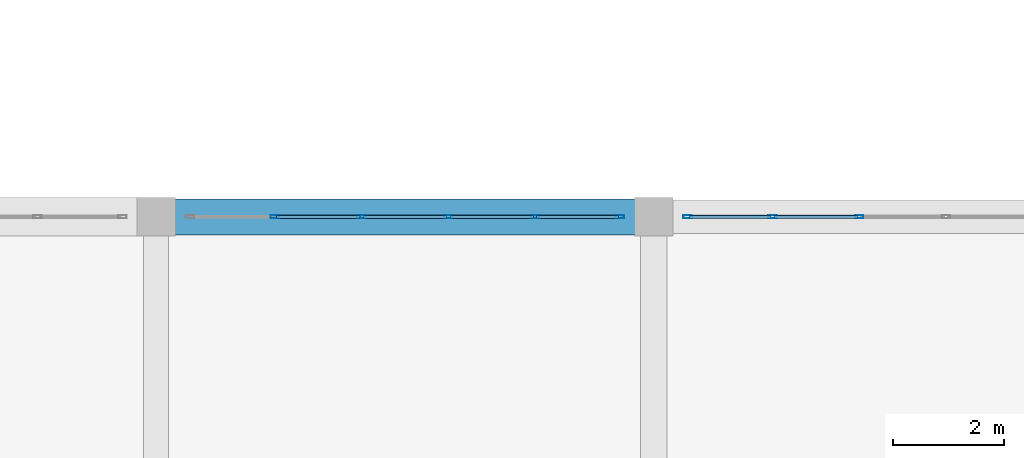
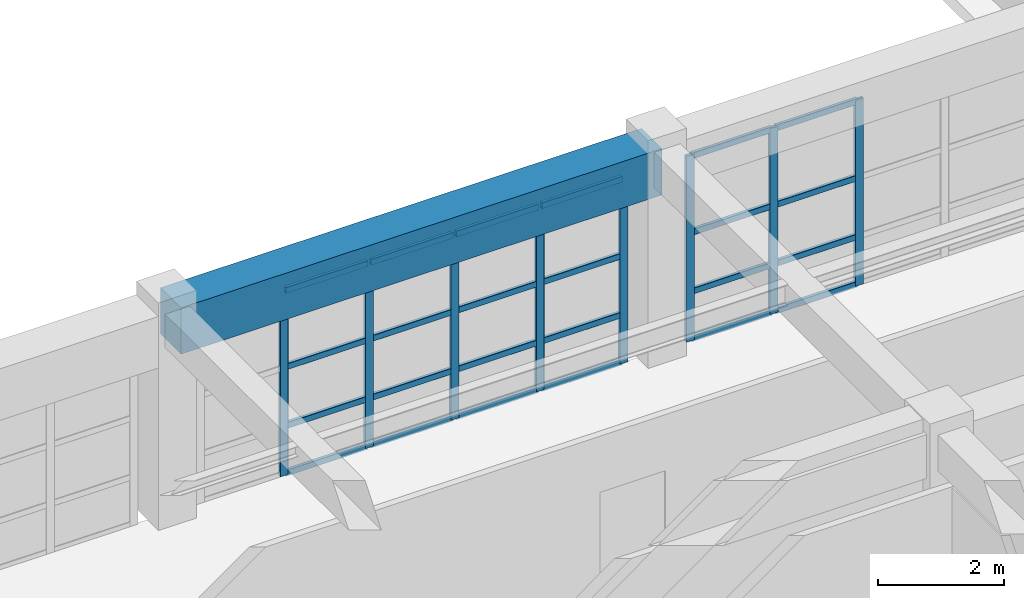
# One storey, part 83 of 133: 32 members, 1 beam, 2 elements without a shape of their own.
"""IFC4 building model written with IfcOpenShell, lengths in metres."""

from ifc_helpers import new_model, si_unit, direction, frame, origin, origin_2d, place, context, subcontext, project, spatial, rectangle, hollow_rectangle, extrude, material, material_profile, profile_set, type_object, element, aggregate, save


model = new_model("IFC4")

# Units and contexts
model_context = context("Model", 3, precision=1e-05, world=origin(), true_north=direction((0.0, 1.0)))
body_context = subcontext(model_context, "Body", "Model", "MODEL_VIEW")
ifc_project = project(units=[si_unit("LENGTHUNIT", "METRE"), si_unit("AREAUNIT", "SQUARE_METRE"), si_unit("VOLUMEUNIT", "CUBIC_METRE"), si_unit("PLANEANGLEUNIT", "RADIAN"), si_unit("MASSUNIT", "GRAM", prefix="KILO")], contexts=[model_context])

# Site, building, storey
site_placement = place(None, origin())
site = spatial("IfcSite", under=ifc_project, at=site_placement, CompositionType="ELEMENT")
building_placement = place(site_placement, origin())
building = spatial("IfcBuilding", under=site, at=building_placement, Name="Miravela Opera House", CompositionType="ELEMENT")
storey_placement = place(building_placement, frame((0.0, 0.0, 5.10009765625)))
storey = spatial("IfcBuildingStorey", under=building, at=storey_placement, Name="L01", CompositionType="ELEMENT", Elevation=5.10009765625)

# Curtain wall, members
ifc_material_1 = material(Name="Anodised architectural bronze aluminium 6063-T6", Category="aluminium")
curtain_wall_type = type_object("IfcCurtainWallType", Name="ARC-CW-05", PredefinedType="NOTDEFINED", material=ifc_material_1)
curtain_wall_1_placement = place(storey_placement, origin())
curtain_wall_1 = element("IfcCurtainWall", 1, at=curtain_wall_1_placement, inside=storey, type_object=curtain_wall_type, Name="Courtyard Arcade Curtain Wall CW-L01-172", PredefinedType="NOTDEFINED")
ifc_material_profile_1 = material_profile(ifc_material_1, hollow_rectangle(XDim=0.06005859375, YDim=0.14990234375, WallThickness=0.00390625, InnerFilletRadius=0.001953125, OuterFilletRadius=0.00390625, at=origin_2d()), Name="CWM-60X150")
ifc_profile_set_1 = profile_set([ifc_material_profile_1])
member_type_1 = type_object("IfcMemberType", Name="ARC-CWM-150", PredefinedType="MULLION", material=ifc_profile_set_1)
member_1_placement = place(storey_placement, frame((128.14794921875, 84.0, 0.0), z_axis=(0.0, 0.0, 1.0), x_axis=(0.0, 1.0, 0.0)))
member_1 = element("IfcMember", 2, at=member_1_placement, type_object=member_type_1, Name="CW-05 mullion 2", PredefinedType="MULLION", context=body_context, shape_type="SweptSolid", body=[
    extrude(hollow_rectangle(XDim=0.06005859375, YDim=0.14990234375, WallThickness=0.00390625, InnerFilletRadius=0.001953125, OuterFilletRadius=0.00390625, at=origin_2d()), origin(), (0.0, 0.0, 1.0), 3.60986328125),
])
member_2_placement = place(storey_placement, frame((129.716064453125, 84.0, 0.0), z_axis=(0.0, 0.0, 1.0), x_axis=(0.0, 1.0, 0.0)))
member_2 = element("IfcMember", 3, at=member_2_placement, type_object=member_type_1, Name="CW-05 mullion 3", PredefinedType="MULLION", context=body_context, shape_type="SweptSolid", body=[
    extrude(hollow_rectangle(XDim=0.06005859375, YDim=0.14990234375, WallThickness=0.00390625, InnerFilletRadius=0.001953125, OuterFilletRadius=0.00390625, at=origin_2d()), origin(), (0.0, 0.0, 1.0), 3.60986328125),
])
member_3_placement = place(storey_placement, frame((131.283935546875, 84.0, 0.0), z_axis=(0.0, 0.0, 1.0), x_axis=(0.0, 1.0, 0.0)))
member_3 = element("IfcMember", 4, at=member_3_placement, type_object=member_type_1, Name="CW-05 mullion 4", PredefinedType="MULLION", context=body_context, shape_type="SweptSolid", body=[
    extrude(hollow_rectangle(XDim=0.06005859375, YDim=0.14990234375, WallThickness=0.00390625, InnerFilletRadius=0.001953125, OuterFilletRadius=0.00390625, at=origin_2d()), origin(), (0.0, 0.0, 1.0), 3.60986328125),
])
member_4_placement = place(storey_placement, frame((132.85205078125, 84.0, 0.0), z_axis=(0.0, 0.0, 1.0), x_axis=(0.0, 1.0, 0.0)))
member_4 = element("IfcMember", 5, at=member_4_placement, type_object=member_type_1, Name="CW-05 mullion 5", PredefinedType="MULLION", context=body_context, shape_type="SweptSolid", body=[
    extrude(hollow_rectangle(XDim=0.06005859375, YDim=0.14990234375, WallThickness=0.00390625, InnerFilletRadius=0.001953125, OuterFilletRadius=0.00390625, at=origin_2d()), origin(), (0.0, 0.0, 1.0), 3.60986328125),
])
member_5_placement = place(storey_placement, frame((134.389892578125, 84.0, 0.0), z_axis=(0.0, 0.0, 1.0), x_axis=(0.0, 1.0, 0.0)))
member_5 = element("IfcMember", 6, at=member_5_placement, type_object=member_type_1, Name="CW-05 mullion 6", PredefinedType="MULLION", context=body_context, shape_type="SweptSolid", body=[
    extrude(hollow_rectangle(XDim=0.06005859375, YDim=0.14990234375, WallThickness=0.00390625, InnerFilletRadius=0.001953125, OuterFilletRadius=0.00390625, at=origin_2d()), origin(), (0.0, 0.0, 1.0), 3.60986328125),
])

curtain_wall_2_placement = place(storey_placement, origin())
curtain_wall_2 = element("IfcCurtainWall", 7, at=curtain_wall_2_placement, inside=storey, type_object=curtain_wall_type, Name="Courtyard Arcade Curtain Wall CW-L01-176", PredefinedType="NOTDEFINED")
member_6_placement = place(storey_placement, frame((135.610107421875, 84.0, 0.0), z_axis=(0.0, 0.0, 1.0), x_axis=(0.0, 1.0, 0.0)))
member_6 = element("IfcMember", 8, at=member_6_placement, type_object=member_type_1, Name="CW-05 mullion 1", PredefinedType="MULLION", context=body_context, shape_type="SweptSolid", body=[
    extrude(hollow_rectangle(XDim=0.06005859375, YDim=0.14990234375, WallThickness=0.00390625, InnerFilletRadius=0.001953125, OuterFilletRadius=0.00390625, at=origin_2d()), origin(), (0.0, 0.0, 1.0), 3.60986328125),
])
member_7_placement = place(storey_placement, frame((137.14794921875, 84.0, 0.0), z_axis=(0.0, 0.0, 1.0), x_axis=(0.0, 1.0, 0.0)))
member_7 = element("IfcMember", 9, at=member_7_placement, type_object=member_type_1, Name="CW-05 mullion 2", PredefinedType="MULLION", context=body_context, shape_type="SweptSolid", body=[
    extrude(hollow_rectangle(XDim=0.06005859375, YDim=0.14990234375, WallThickness=0.00390625, InnerFilletRadius=0.001953125, OuterFilletRadius=0.00390625, at=origin_2d()), origin(), (0.0, 0.0, 1.0), 3.60986328125),
])
member_8_placement = place(storey_placement, frame((138.716064453125, 84.0, 0.0), z_axis=(0.0, 0.0, 1.0), x_axis=(0.0, 1.0, 0.0)))
member_8 = element("IfcMember", 10, at=member_8_placement, type_object=member_type_1, Name="CW-05 mullion 3", PredefinedType="MULLION", context=body_context, shape_type="SweptSolid", body=[
    extrude(hollow_rectangle(XDim=0.06005859375, YDim=0.14990234375, WallThickness=0.00390625, InnerFilletRadius=0.001953125, OuterFilletRadius=0.00390625, at=origin_2d()), origin(), (0.0, 0.0, 1.0), 3.60986328125),
])

# Member
ifc_material_profile_2 = material_profile(ifc_material_1, hollow_rectangle(XDim=0.06005859375, YDim=0.114990234375, WallThickness=0.00390625, InnerFilletRadius=0.001953125, OuterFilletRadius=0.00390625, at=origin_2d()), Name="CWT-60X115")
ifc_profile_set_2 = profile_set([ifc_material_profile_2])
member_type_2 = type_object("IfcMemberType", Name="ARC-CWT-115", PredefinedType="USERDEFINED", material=ifc_profile_set_2)
member_9_placement = place(storey_placement, frame((128.177978515625, 84.0, 0.02978515625), z_axis=(1.0, 0.0, 0.0), x_axis=(0.0, 1.0, 0.0)))
member_9 = element("IfcMember", 11, at=member_9_placement, type_object=member_type_2, Name="CW-05 transom 2.1", ObjectType="TRANSOM", PredefinedType="USERDEFINED", context=body_context, shape_type="SweptSolid", body=[
    extrude(hollow_rectangle(XDim=0.06005859375, YDim=0.114990234375, WallThickness=0.00390625, InnerFilletRadius=0.001953125, OuterFilletRadius=0.00390625, at=origin_2d()), origin(), (0.0, 0.0, 1.0), 1.508056640625),
])

member_10_placement = place(storey_placement, frame((128.177978515625, 84.0, 0.949951171875), z_axis=(1.0, 0.0, 0.0), x_axis=(0.0, 1.0, 0.0)))
member_10 = element("IfcMember", 12, at=member_10_placement, type_object=member_type_2, Name="CW-05 transom 2.2", ObjectType="TRANSOM", PredefinedType="USERDEFINED", context=body_context, shape_type="SweptSolid", body=[
    extrude(hollow_rectangle(XDim=0.06005859375, YDim=0.114990234375, WallThickness=0.00390625, InnerFilletRadius=0.001953125, OuterFilletRadius=0.00390625, at=origin_2d()), origin(), (0.0, 0.0, 1.0), 1.508056640625),
])

member_11_placement = place(storey_placement, frame((128.177978515625, 84.0, 2.09375), z_axis=(1.0, 0.0, 0.0), x_axis=(0.0, 1.0, 0.0)))
member_11 = element("IfcMember", 13, at=member_11_placement, type_object=member_type_2, Name="CW-05 transom 2.3", ObjectType="TRANSOM", PredefinedType="USERDEFINED", context=body_context, shape_type="SweptSolid", body=[
    extrude(hollow_rectangle(XDim=0.06005859375, YDim=0.114990234375, WallThickness=0.00390625, InnerFilletRadius=0.001953125, OuterFilletRadius=0.00390625, at=origin_2d()), origin(), (0.0, 0.0, 1.0), 1.508056640625),
])

member_12_placement = place(storey_placement, frame((128.177978515625, 84.0, 3.579833984375), z_axis=(1.0, 0.0, 0.0), x_axis=(0.0, 1.0, 0.0)))
member_12 = element("IfcMember", 14, at=member_12_placement, type_object=member_type_2, Name="CW-05 transom 2.4", ObjectType="TRANSOM", PredefinedType="USERDEFINED", context=body_context, shape_type="SweptSolid", body=[
    extrude(hollow_rectangle(XDim=0.06005859375, YDim=0.114990234375, WallThickness=0.00390625, InnerFilletRadius=0.001953125, OuterFilletRadius=0.00390625, at=origin_2d()), origin(), (0.0, 0.0, 1.0), 1.508056640625),
])

member_13_placement = place(storey_placement, frame((129.74609375, 84.0, 0.02978515625), z_axis=(1.0, 0.0, 0.0), x_axis=(0.0, 1.0, 0.0)))
member_13 = element("IfcMember", 15, at=member_13_placement, type_object=member_type_2, Name="CW-05 transom 3.1", ObjectType="TRANSOM", PredefinedType="USERDEFINED", context=body_context, shape_type="SweptSolid", body=[
    extrude(hollow_rectangle(XDim=0.06005859375, YDim=0.114990234375, WallThickness=0.00390625, InnerFilletRadius=0.001953125, OuterFilletRadius=0.00390625, at=origin_2d()), origin(), (0.0, 0.0, 1.0), 1.5078125),
])

member_14_placement = place(storey_placement, frame((129.74609375, 84.0, 0.949951171875), z_axis=(1.0, 0.0, 0.0), x_axis=(0.0, 1.0, 0.0)))
member_14 = element("IfcMember", 16, at=member_14_placement, type_object=member_type_2, Name="CW-05 transom 3.2", ObjectType="TRANSOM", PredefinedType="USERDEFINED", context=body_context, shape_type="SweptSolid", body=[
    extrude(hollow_rectangle(XDim=0.06005859375, YDim=0.114990234375, WallThickness=0.00390625, InnerFilletRadius=0.001953125, OuterFilletRadius=0.00390625, at=origin_2d()), origin(), (0.0, 0.0, 1.0), 1.5078125),
])

member_15_placement = place(storey_placement, frame((129.74609375, 84.0, 2.09375), z_axis=(1.0, 0.0, 0.0), x_axis=(0.0, 1.0, 0.0)))
member_15 = element("IfcMember", 17, at=member_15_placement, type_object=member_type_2, Name="CW-05 transom 3.3", ObjectType="TRANSOM", PredefinedType="USERDEFINED", context=body_context, shape_type="SweptSolid", body=[
    extrude(hollow_rectangle(XDim=0.06005859375, YDim=0.114990234375, WallThickness=0.00390625, InnerFilletRadius=0.001953125, OuterFilletRadius=0.00390625, at=origin_2d()), origin(), (0.0, 0.0, 1.0), 1.5078125),
])

member_16_placement = place(storey_placement, frame((129.74609375, 84.0, 3.579833984375), z_axis=(1.0, 0.0, 0.0), x_axis=(0.0, 1.0, 0.0)))
member_16 = element("IfcMember", 18, at=member_16_placement, type_object=member_type_2, Name="CW-05 transom 3.4", ObjectType="TRANSOM", PredefinedType="USERDEFINED", context=body_context, shape_type="SweptSolid", body=[
    extrude(hollow_rectangle(XDim=0.06005859375, YDim=0.114990234375, WallThickness=0.00390625, InnerFilletRadius=0.001953125, OuterFilletRadius=0.00390625, at=origin_2d()), origin(), (0.0, 0.0, 1.0), 1.5078125),
])

member_17_placement = place(storey_placement, frame((131.31396484375, 84.0, 0.02978515625), z_axis=(1.0, 0.0, 0.0), x_axis=(0.0, 1.0, 0.0)))
member_17 = element("IfcMember", 19, at=member_17_placement, type_object=member_type_2, Name="CW-05 transom 4.1", ObjectType="TRANSOM", PredefinedType="USERDEFINED", context=body_context, shape_type="SweptSolid", body=[
    extrude(hollow_rectangle(XDim=0.06005859375, YDim=0.114990234375, WallThickness=0.00390625, InnerFilletRadius=0.001953125, OuterFilletRadius=0.00390625, at=origin_2d()), origin(), (0.0, 0.0, 1.0), 1.508056640625),
])

member_18_placement = place(storey_placement, frame((131.31396484375, 84.0, 0.949951171875), z_axis=(1.0, 0.0, 0.0), x_axis=(0.0, 1.0, 0.0)))
member_18 = element("IfcMember", 20, at=member_18_placement, type_object=member_type_2, Name="CW-05 transom 4.2", ObjectType="TRANSOM", PredefinedType="USERDEFINED", context=body_context, shape_type="SweptSolid", body=[
    extrude(hollow_rectangle(XDim=0.06005859375, YDim=0.114990234375, WallThickness=0.00390625, InnerFilletRadius=0.001953125, OuterFilletRadius=0.00390625, at=origin_2d()), origin(), (0.0, 0.0, 1.0), 1.508056640625),
])

member_19_placement = place(storey_placement, frame((131.31396484375, 84.0, 2.09375), z_axis=(1.0, 0.0, 0.0), x_axis=(0.0, 1.0, 0.0)))
member_19 = element("IfcMember", 21, at=member_19_placement, type_object=member_type_2, Name="CW-05 transom 4.3", ObjectType="TRANSOM", PredefinedType="USERDEFINED", context=body_context, shape_type="SweptSolid", body=[
    extrude(hollow_rectangle(XDim=0.06005859375, YDim=0.114990234375, WallThickness=0.00390625, InnerFilletRadius=0.001953125, OuterFilletRadius=0.00390625, at=origin_2d()), origin(), (0.0, 0.0, 1.0), 1.508056640625),
])

member_20_placement = place(storey_placement, frame((131.31396484375, 84.0, 3.579833984375), z_axis=(1.0, 0.0, 0.0), x_axis=(0.0, 1.0, 0.0)))
member_20 = element("IfcMember", 22, at=member_20_placement, type_object=member_type_2, Name="CW-05 transom 4.4", ObjectType="TRANSOM", PredefinedType="USERDEFINED", context=body_context, shape_type="SweptSolid", body=[
    extrude(hollow_rectangle(XDim=0.06005859375, YDim=0.114990234375, WallThickness=0.00390625, InnerFilletRadius=0.001953125, OuterFilletRadius=0.00390625, at=origin_2d()), origin(), (0.0, 0.0, 1.0), 1.508056640625),
])

member_21_placement = place(storey_placement, frame((132.882080078125, 84.0, 0.02978515625), z_axis=(1.0, 0.0, 0.0), x_axis=(0.0, 1.0, 0.0)))
member_21 = element("IfcMember", 23, at=member_21_placement, type_object=member_type_2, Name="CW-05 transom 5.1", ObjectType="TRANSOM", PredefinedType="USERDEFINED", context=body_context, shape_type="SweptSolid", body=[
    extrude(hollow_rectangle(XDim=0.06005859375, YDim=0.114990234375, WallThickness=0.00390625, InnerFilletRadius=0.001953125, OuterFilletRadius=0.00390625, at=origin_2d()), origin(), (0.0, 0.0, 1.0), 1.47802734375),
])

member_22_placement = place(storey_placement, frame((132.882080078125, 84.0, 0.949951171875), z_axis=(1.0, 0.0, 0.0), x_axis=(0.0, 1.0, 0.0)))
member_22 = element("IfcMember", 24, at=member_22_placement, type_object=member_type_2, Name="CW-05 transom 5.2", ObjectType="TRANSOM", PredefinedType="USERDEFINED", context=body_context, shape_type="SweptSolid", body=[
    extrude(hollow_rectangle(XDim=0.06005859375, YDim=0.114990234375, WallThickness=0.00390625, InnerFilletRadius=0.001953125, OuterFilletRadius=0.00390625, at=origin_2d()), origin(), (0.0, 0.0, 1.0), 1.47802734375),
])

member_23_placement = place(storey_placement, frame((132.882080078125, 84.0, 2.09375), z_axis=(1.0, 0.0, 0.0), x_axis=(0.0, 1.0, 0.0)))
member_23 = element("IfcMember", 25, at=member_23_placement, type_object=member_type_2, Name="CW-05 transom 5.3", ObjectType="TRANSOM", PredefinedType="USERDEFINED", context=body_context, shape_type="SweptSolid", body=[
    extrude(hollow_rectangle(XDim=0.06005859375, YDim=0.114990234375, WallThickness=0.00390625, InnerFilletRadius=0.001953125, OuterFilletRadius=0.00390625, at=origin_2d()), origin(), (0.0, 0.0, 1.0), 1.47802734375),
])

member_24_placement = place(storey_placement, frame((132.882080078125, 84.0, 3.579833984375), z_axis=(1.0, 0.0, 0.0), x_axis=(0.0, 1.0, 0.0)))
member_24 = element("IfcMember", 26, at=member_24_placement, type_object=member_type_2, Name="CW-05 transom 5.4", ObjectType="TRANSOM", PredefinedType="USERDEFINED", context=body_context, shape_type="SweptSolid", body=[
    extrude(hollow_rectangle(XDim=0.06005859375, YDim=0.114990234375, WallThickness=0.00390625, InnerFilletRadius=0.001953125, OuterFilletRadius=0.00390625, at=origin_2d()), origin(), (0.0, 0.0, 1.0), 1.47802734375),
])

aggregate(curtain_wall_1, [member_1, member_2, member_3, member_4, member_5, member_9, member_10, member_11, member_12, member_13, member_14, member_15, member_16, member_17, member_18, member_19, member_20, member_21, member_22, member_23, member_24])

member_25_placement = place(storey_placement, frame((135.639892578125, 84.0, 0.02978515625), z_axis=(1.0, 0.0, 0.0), x_axis=(0.0, 1.0, 0.0)))
member_25 = element("IfcMember", 27, at=member_25_placement, type_object=member_type_2, Name="CW-05 transom 1.1", ObjectType="TRANSOM", PredefinedType="USERDEFINED", context=body_context, shape_type="SweptSolid", body=[
    extrude(hollow_rectangle(XDim=0.06005859375, YDim=0.114990234375, WallThickness=0.00390625, InnerFilletRadius=0.001953125, OuterFilletRadius=0.00390625, at=origin_2d()), origin(), (0.0, 0.0, 1.0), 1.47802734375),
])

member_26_placement = place(storey_placement, frame((135.639892578125, 84.0, 0.949951171875), z_axis=(1.0, 0.0, 0.0), x_axis=(0.0, 1.0, 0.0)))
member_26 = element("IfcMember", 28, at=member_26_placement, type_object=member_type_2, Name="CW-05 transom 1.2", ObjectType="TRANSOM", PredefinedType="USERDEFINED", context=body_context, shape_type="SweptSolid", body=[
    extrude(hollow_rectangle(XDim=0.06005859375, YDim=0.114990234375, WallThickness=0.00390625, InnerFilletRadius=0.001953125, OuterFilletRadius=0.00390625, at=origin_2d()), origin(), (0.0, 0.0, 1.0), 1.47802734375),
])

member_27_placement = place(storey_placement, frame((135.639892578125, 84.0, 2.09375), z_axis=(1.0, 0.0, 0.0), x_axis=(0.0, 1.0, 0.0)))
member_27 = element("IfcMember", 29, at=member_27_placement, type_object=member_type_2, Name="CW-05 transom 1.3", ObjectType="TRANSOM", PredefinedType="USERDEFINED", context=body_context, shape_type="SweptSolid", body=[
    extrude(hollow_rectangle(XDim=0.06005859375, YDim=0.114990234375, WallThickness=0.00390625, InnerFilletRadius=0.001953125, OuterFilletRadius=0.00390625, at=origin_2d()), origin(), (0.0, 0.0, 1.0), 1.47802734375),
])

member_28_placement = place(storey_placement, frame((135.639892578125, 84.0, 3.579833984375), z_axis=(1.0, 0.0, 0.0), x_axis=(0.0, 1.0, 0.0)))
member_28 = element("IfcMember", 30, at=member_28_placement, type_object=member_type_2, Name="CW-05 transom 1.4", ObjectType="TRANSOM", PredefinedType="USERDEFINED", context=body_context, shape_type="SweptSolid", body=[
    extrude(hollow_rectangle(XDim=0.06005859375, YDim=0.114990234375, WallThickness=0.00390625, InnerFilletRadius=0.001953125, OuterFilletRadius=0.00390625, at=origin_2d()), origin(), (0.0, 0.0, 1.0), 1.47802734375),
])

member_29_placement = place(storey_placement, frame((137.177978515625, 84.0, 0.02978515625), z_axis=(1.0, 0.0, 0.0), x_axis=(0.0, 1.0, 0.0)))
member_29 = element("IfcMember", 31, at=member_29_placement, type_object=member_type_2, Name="CW-05 transom 2.1", ObjectType="TRANSOM", PredefinedType="USERDEFINED", context=body_context, shape_type="SweptSolid", body=[
    extrude(hollow_rectangle(XDim=0.06005859375, YDim=0.114990234375, WallThickness=0.00390625, InnerFilletRadius=0.001953125, OuterFilletRadius=0.00390625, at=origin_2d()), origin(), (0.0, 0.0, 1.0), 1.508056640625),
])

member_30_placement = place(storey_placement, frame((137.177978515625, 84.0, 0.949951171875), z_axis=(1.0, 0.0, 0.0), x_axis=(0.0, 1.0, 0.0)))
member_30 = element("IfcMember", 32, at=member_30_placement, type_object=member_type_2, Name="CW-05 transom 2.2", ObjectType="TRANSOM", PredefinedType="USERDEFINED", context=body_context, shape_type="SweptSolid", body=[
    extrude(hollow_rectangle(XDim=0.06005859375, YDim=0.114990234375, WallThickness=0.00390625, InnerFilletRadius=0.001953125, OuterFilletRadius=0.00390625, at=origin_2d()), origin(), (0.0, 0.0, 1.0), 1.508056640625),
])

member_31_placement = place(storey_placement, frame((137.177978515625, 84.0, 2.09375), z_axis=(1.0, 0.0, 0.0), x_axis=(0.0, 1.0, 0.0)))
member_31 = element("IfcMember", 33, at=member_31_placement, type_object=member_type_2, Name="CW-05 transom 2.3", ObjectType="TRANSOM", PredefinedType="USERDEFINED", context=body_context, shape_type="SweptSolid", body=[
    extrude(hollow_rectangle(XDim=0.06005859375, YDim=0.114990234375, WallThickness=0.00390625, InnerFilletRadius=0.001953125, OuterFilletRadius=0.00390625, at=origin_2d()), origin(), (0.0, 0.0, 1.0), 1.508056640625),
])

member_32_placement = place(storey_placement, frame((137.177978515625, 84.0, 3.579833984375), z_axis=(1.0, 0.0, 0.0), x_axis=(0.0, 1.0, 0.0)))
member_32 = element("IfcMember", 34, at=member_32_placement, type_object=member_type_2, Name="CW-05 transom 2.4", ObjectType="TRANSOM", PredefinedType="USERDEFINED", context=body_context, shape_type="SweptSolid", body=[
    extrude(hollow_rectangle(XDim=0.06005859375, YDim=0.114990234375, WallThickness=0.00390625, InnerFilletRadius=0.001953125, OuterFilletRadius=0.00390625, at=origin_2d()), origin(), (0.0, 0.0, 1.0), 1.508056640625),
])

aggregate(curtain_wall_2, [member_6, member_7, member_8, member_25, member_26, member_27, member_28, member_29, member_30, member_31, member_32])

# Beam
ifc_material_2 = material(Name="Concrete C40/50", Category="concrete")
ifc_material_profile_3 = material_profile(ifc_material_2, rectangle(XDim=0.64990234375, YDim=0.89990234375, at=origin_2d()), Name="RC-BM-650X900")
ifc_profile_set_3 = profile_set([ifc_material_profile_3])
beam_type = type_object("IfcBeamType", Name="STR-BM-RC650X900", PredefinedType="BEAM", material=ifc_profile_set_3)
beam_placement = place(storey_placement, frame((126.080078125, 84.0, 3.7099609375), z_axis=(1.0, 0.0, 0.0), x_axis=(0.0, 1.0, 0.0)))
element("IfcBeam", 35, at=beam_placement, inside=storey, type_object=beam_type, Name="Floor Girder L01 15-16/J", PredefinedType="BEAM", context=body_context, shape_type="SweptSolid", body=[
    extrude(rectangle(XDim=0.64990234375, YDim=0.89990234375, at=origin_2d()), origin(), (0.0, 0.0, 1.0), 8.83984375),
])

save(model, "model.ifc")
